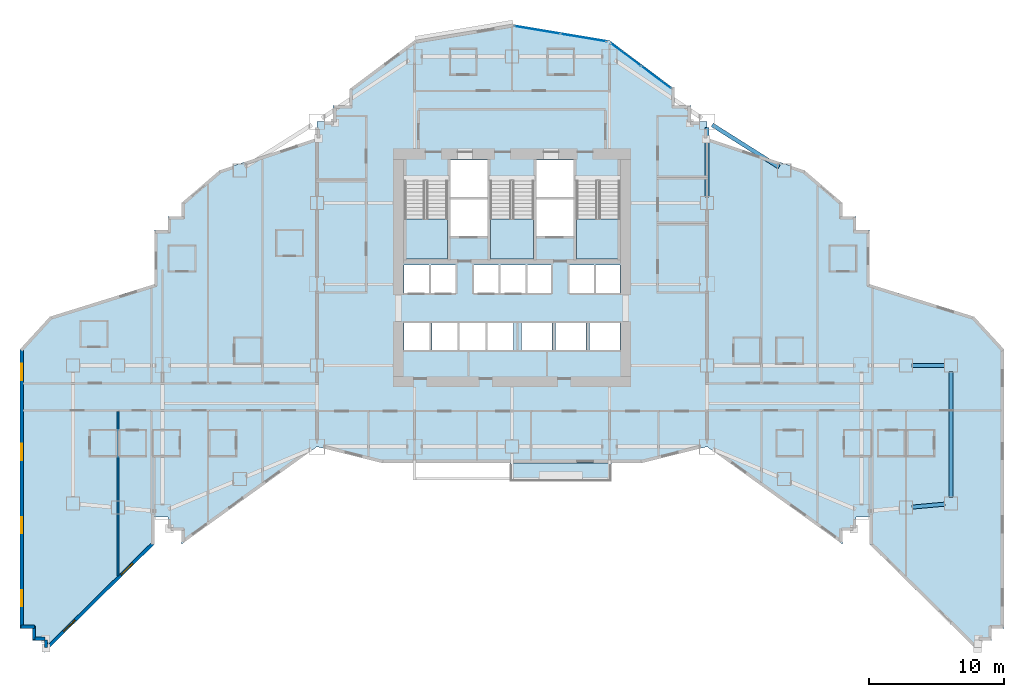
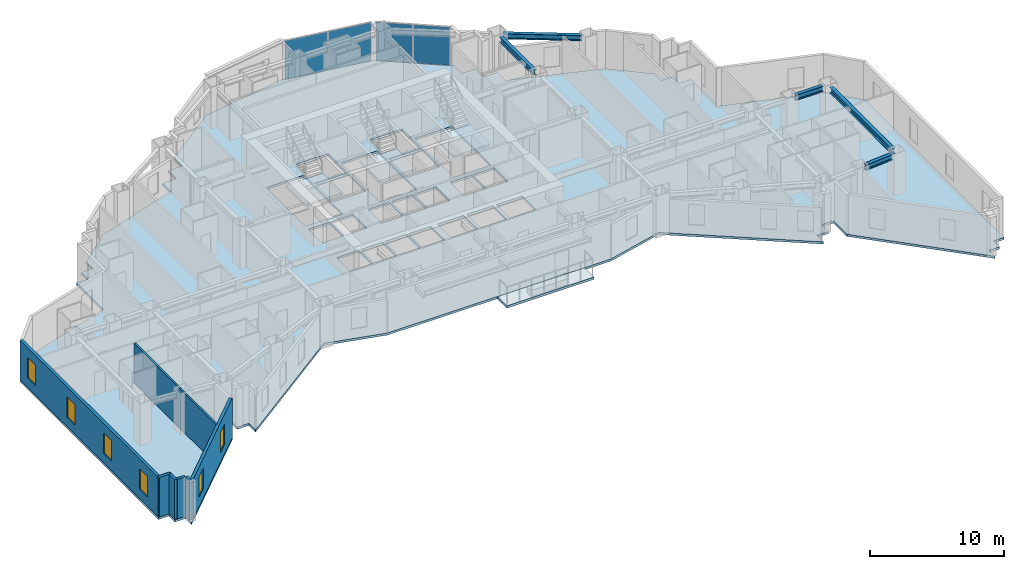
# One storey, part 4 of 16: 7 walls, 6 windows, 5 beams, 5 slabs, 4 plates, 6 openings, 5 elements without a shape of their own.
"""IFC4 building model written with IfcOpenShell, lengths in metres."""

from ifc_helpers import new_model, si_unit, direction, frame, frame_2d, origin, origin_2d, place, context, subcontext, project, spatial, polyline, rectangle, i_section, outline, extrude, material, layer, layer_set, material_profile, profile_set, type_object, element, fill, aggregate, save


model = new_model("IFC4")

# Units and contexts
model_context = context("Model", 3, precision=1e-05, world=origin(), true_north=direction((0.0, 1.0)))
body_context = subcontext(model_context, "Body", "Model", "MODEL_VIEW")
ifc_project = project(units=[si_unit("LENGTHUNIT", "METRE"), si_unit("AREAUNIT", "SQUARE_METRE"), si_unit("VOLUMEUNIT", "CUBIC_METRE"), si_unit("PLANEANGLEUNIT", "RADIAN"), si_unit("MASSUNIT", "GRAM", prefix="KILO")], contexts=[model_context])

# Site, building, storey
site_placement = place(None, origin())
site = spatial("IfcSite", under=ifc_project, at=site_placement, CompositionType="ELEMENT")
building_placement = place(site_placement, origin())
building = spatial("IfcBuilding", under=site, at=building_placement, Name="Haolan Belvedere Tower", CompositionType="ELEMENT")
storey_placement = place(building_placement, frame((0.0, 0.0, 47.60009765625)))
storey = spatial("IfcBuildingStorey", under=building, at=storey_placement, Name="L11", CompositionType="ELEMENT", Elevation=47.60009765625)

# Beams
ifc_material_1 = material(Name="Steel Q355B", Category="steel")
ifc_material_profile = material_profile(ifc_material_1, i_section(OverallWidth=0.300048828125, OverallDepth=0.488037109375, WebThickness=0.010986328125, FlangeThickness=0.01806640625, FilletRadius=0.02587890625, at=origin_2d()), Name="Steel Q355B")
ifc_profile_set = profile_set([ifc_material_profile], Name="Steel Q355B")
beam_type = type_object("IfcBeamType", Name="BM-HM488x300x11x18", PredefinedType="SPANDREL", material=ifc_profile_set)
beam_1_placement = place(storey_placement, frame((52.800048828125, 40.050048828125, 3.35595703125), z_axis=(0.0, 1.0, 0.0), x_axis=(-1.0, 0.0, 0.0)))
element("IfcBeam", 1, at=beam_1_placement, inside=storey, type_object=beam_type, Name="L11 spandrel girder TC-T3-E2-MC-T3-NE", PredefinedType="SPANDREL", context=body_context, shape_type="SweptSolid", body=[
    extrude(i_section(OverallWidth=0.300048828125, OverallDepth=0.488037109375, WebThickness=0.010986328125, FlangeThickness=0.01806640625, FilletRadius=0.02587890625, at=origin_2d()), origin(), (0.0, 0.0, 1.0), 5.099853515625),
])
beam_2_placement = place(storey_placement, frame((53.180419921875, 45.359619140625, 3.35595703125), z_axis=(0.845497840649, -0.533978839898, 0.0), x_axis=(0.533978839898, 0.845497840649, 0.0)))
element("IfcBeam", 2, at=beam_2_placement, inside=storey, type_object=beam_type, Name="L11 spandrel girder MC-T3-NE-TC-T4-N1", PredefinedType="SPANDREL", context=body_context, shape_type="SweptSolid", body=[
    extrude(i_section(OverallWidth=0.300048828125, OverallDepth=0.488037109375, WebThickness=0.010986328125, FlangeThickness=0.01806640625, FilletRadius=0.02587890625, at=origin_2d()), origin(), (0.0, 0.0, 1.0), 5.841796875),
])
beam_3_placement = place(storey_placement, frame((70.800048828125, 17.85009765625, 3.35595703125), z_axis=(0.0, 1.0, 0.0), x_axis=(-1.0, 0.0, 0.0)))
element("IfcBeam", 3, at=beam_3_placement, inside=storey, type_object=beam_type, Name="L11 spandrel girder MC-T5-SE-MC-T5-NE", PredefinedType="SPANDREL", context=body_context, shape_type="SweptSolid", body=[
    extrude(i_section(OverallWidth=0.300048828125, OverallDepth=0.488037109375, WebThickness=0.010986328125, FlangeThickness=0.01806640625, FilletRadius=0.02587890625, at=origin_2d()), origin(), (0.0, 0.0, 1.0), 9.2998046875),
])
beam_4_placement = place(storey_placement, frame((67.9482421875, 17.140625, 3.35595703125), z_axis=(0.995884080761, 0.090636072764, 0.0), x_axis=(-0.090636072764, 0.995884080761, 0.0)))
element("IfcBeam", 4, at=beam_4_placement, inside=storey, type_object=beam_type, Name="L11 spandrel girder TC-T5-M1-MC-T5-SE", PredefinedType="SPANDREL", context=body_context, shape_type="SweptSolid", body=[
    extrude(i_section(OverallWidth=0.300048828125, OverallDepth=0.488037109375, WebThickness=0.010986328125, FlangeThickness=0.01806640625, FilletRadius=0.02587890625, at=origin_2d()), origin(), (0.0, 0.0, 1.0), 2.41357421875),
])
beam_5_placement = place(storey_placement, frame((67.949951171875, 27.60009765625, 3.35595703125), z_axis=(1.0, 0.0, 0.0), x_axis=(0.0, 1.0, 0.0)))
element("IfcBeam", 5, at=beam_5_placement, inside=storey, type_object=beam_type, Name="L11 spandrel girder TC-T5-M2-MC-T5-NE", PredefinedType="SPANDREL", context=body_context, shape_type="SweptSolid", body=[
    extrude(i_section(OverallWidth=0.300048828125, OverallDepth=0.488037109375, WebThickness=0.010986328125, FlangeThickness=0.01806640625, FilletRadius=0.02587890625, at=origin_2d()), origin(), (0.0, 0.0, 1.0), 2.400146484375),
])

# Curtain wall, plates
ifc_material_2 = material(Name="Anodised champagne-silver aluminium 6063-T6 and Low-E glass", Category="aluminium")
ifc_layer_1 = layer(ifc_material_2, 0.1650390625, Name="Anodised champagne-silver aluminium 6063-T6 and Low-E glass")
ifc_layer_set_1 = layer_set([ifc_layer_1], Name="Anodised champagne-silver aluminium 6063-T6 and Low-E glass")
curtain_wall_type = type_object("IfcCurtainWallType", Name="CW-SYS-02", PredefinedType="NOTDEFINED", material=ifc_layer_set_1)
curtain_wall_1_placement = place(storey_placement, origin())
curtain_wall_1 = element("IfcCurtainWall", 6, at=curtain_wall_1_placement, inside=storey, type_object=curtain_wall_type, Name="L11 CW-SYS-02 ribbon curtain wall 41.1", PredefinedType="NOTDEFINED")
ifc_material_3 = material(Name="Double silver Low-E laminated insulating glass", Category="glass")
ifc_layer_2 = layer(ifc_material_3, 0.02587890625, Name="Double silver Low-E laminated insulating glass")
ifc_layer_set_2 = layer_set([ifc_layer_2], Name="Double silver Low-E laminated insulating glass")
plate_type = type_object("IfcPlateType", Name="CW-SYS-02-PNL", PredefinedType="CURTAIN_PANEL", material=ifc_layer_set_2)
plate_1_placement = place(storey_placement, frame((49.02978515625, 48.877685546875, 0.0546875), z_axis=(0.0, 0.0, 1.0), x_axis=(-0.800004262313, 0.599994316874, 0.0)))
plate_1 = element("IfcPlate", 7, at=plate_1_placement, type_object=plate_type, Name="CW-02 panel 1.1", PredefinedType="CURTAIN_PANEL", context=body_context, shape_type="SweptSolid", body=[
    extrude(rectangle(XDim=2.725341796875, YDim=0.02587890625, at=origin_2d()), origin(), (0.0, 0.0, 1.0), 3.489990234375),
])
plate_2_placement = place(storey_placement, frame((46.801513671875, 50.548828125, 0.0546875), z_axis=(0.0, 0.0, 1.0), x_axis=(-0.800004262313, 0.599994316874, 0.0)))
plate_2 = element("IfcPlate", 8, at=plate_2_placement, type_object=plate_type, Name="CW-02 panel 2.1", PredefinedType="CURTAIN_PANEL", context=body_context, shape_type="SweptSolid", body=[
    extrude(rectangle(XDim=2.725341796875, YDim=0.02587890625, at=origin_2d()), origin(), (0.0, 0.0, 1.0), 3.489990234375),
])
aggregate(curtain_wall_1, [plate_1, plate_2])

curtain_wall_2_placement = place(storey_placement, origin())
curtain_wall_2 = element("IfcCurtainWall", 9, at=curtain_wall_2_placement, inside=storey, type_object=curtain_wall_type, Name="L11 CW-SYS-02 ribbon curtain wall 42.1", PredefinedType="NOTDEFINED")
plate_3_placement = place(storey_placement, frame((43.6796875, 51.79833984375, 0.0546875), z_axis=(0.0, 0.0, 1.0), x_axis=(-0.9863931483, 0.16440364043, 0.0)))
plate_3 = element("IfcPlate", 10, at=plate_3_placement, type_object=plate_type, Name="CW-02 panel 1.1", PredefinedType="CURTAIN_PANEL", context=body_context, shape_type="SweptSolid", body=[
    extrude(rectangle(XDim=3.39501953125, YDim=0.02587890625, at=origin_2d()), origin(), (0.0, 0.0, 1.0), 3.489990234375),
])
plate_4_placement = place(storey_placement, frame((40.271728515625, 52.366455078125, 0.0546875), z_axis=(0.0, 0.0, 1.0), x_axis=(-0.9863931483, 0.16440364043, 0.0)))
plate_4 = element("IfcPlate", 11, at=plate_4_placement, type_object=plate_type, Name="CW-02 panel 2.1", PredefinedType="CURTAIN_PANEL", context=body_context, shape_type="SweptSolid", body=[
    extrude(rectangle(XDim=3.39501953125, YDim=0.02587890625, at=origin_2d()), origin(), (0.0, 0.0, 1.0), 3.489990234375),
])
aggregate(curtain_wall_2, [plate_3, plate_4])

# Slabs
ifc_material_4 = material(Name="Concrete C40/50", Category="concrete")
ifc_layer_3 = layer(ifc_material_4, 0.2099609375, Name="Concrete C40/50")
ifc_layer_set_3 = layer_set([ifc_layer_3], Name="Concrete C40/50")
slab_type_1 = type_object("IfcSlabType", Name="SL-BAL-210", PredefinedType="FLOOR", material=ifc_layer_set_3)
slab_1_placement = place(storey_placement, frame((0.0, 0.0, -0.22998046875)))
element("IfcSlab", 12, at=slab_1_placement, inside=storey, type_object=slab_type_1, Name="L11 structural tree-planter balcony slab BAL-L11-S1", PredefinedType="FLOOR", context=body_context, shape_type="SweptSolid", body=[
    extrude(outline(polyline([(38.25, 19.02001953125), (45.75, 19.02001953125), (45.75, 20.39990234375), (38.25, 20.39990234375), (38.25, 19.02001953125)])), origin(), (0.0, 0.0, 1.0), 0.2099609375),
])
ifc_layer_4 = layer(ifc_material_4, 0.199951171875, Name="Concrete C40/50")
ifc_layer_set_4 = layer_set([ifc_layer_4], Name="Concrete C40/50")
slab_type_2 = type_object("IfcSlabType", Name="SL-FLR-200", PredefinedType="FLOOR", material=ifc_layer_set_4)
slab_2_placement = place(storey_placement, frame((0.0, 0.0, -0.2001953125)))
element("IfcSlab", 13, at=slab_2_placement, inside=storey, type_object=slab_type_2, Name="L11 structural floor slab", PredefinedType="FLOOR", context=body_context, shape_type="SweptSolid", body=[
    extrude(outline(polyline([(2.080078125, 28.800048828125), (2.080078125, 8.7958984375), (2.080078125, 8.196044921875), (2.97998046875, 8.196044921875), (2.97998046875, 7.2958984375), (3.8798828125, 7.2958984375), (3.8798828125, 6.39599609375), (12.0, 14.39990234375), (12.0, 16.39990234375), (13.0, 16.39990234375), (13.0, 15.39990234375), (14.0, 15.39990234375), (14.0, 14.39990234375), (24.0, 21.60009765625), (28.800048828125, 20.39990234375), (48.0, 20.39990234375), (52.800048828125, 21.60009765625), (62.800048828125, 14.39990234375), (62.800048828125, 15.39990234375), (63.800048828125, 15.39990234375), (63.800048828125, 16.39990234375), (64.800048828125, 16.39990234375), (64.800048828125, 14.39990234375), (72.919921875, 6.39599609375), (72.919921875, 7.2958984375), (73.820068359375, 7.2958984375), (73.820068359375, 8.196044921875), (74.719970703125, 8.196044921875), (74.719970703125, 28.800048828125), (72.52001953125, 31.199951171875), (64.800048828125, 33.60009765625), (64.800048828125, 37.60009765625), (63.800048828125, 37.60009765625), (63.800048828125, 38.60009765625), (62.800048828125, 38.60009765625), (62.800048828125, 39.60009765625), (60.0, 42.0), (52.800048828125, 44.39990234375), (52.800048828125, 45.60009765625), (51.60009765625, 45.60009765625), (51.60009765625, 46.800048828125), (50.39990234375, 46.800048828125), (50.39990234375, 48.0), (45.60009765625, 51.60009765625), (38.39990234375, 52.800048828125), (31.199951171875, 51.60009765625), (26.39990234375, 48.0), (26.39990234375, 46.800048828125), (25.199951171875, 46.800048828125), (25.199951171875, 45.60009765625), (24.0, 45.60009765625), (24.0, 44.39990234375), (16.800048828125, 42.0), (14.0, 39.60009765625), (14.0, 38.60009765625), (13.0, 38.60009765625), (13.0, 37.60009765625), (12.0, 37.60009765625), (12.0, 33.60009765625), (4.280029296875, 31.199951171875), (2.080078125, 28.800048828125)]), holes=[polyline([(30.449951171875, 41.22998046875), (30.449951171875, 35.449951171875), (33.6298828125, 35.449951171875), (33.6298828125, 41.22998046875), (30.449951171875, 41.22998046875)]), polyline([(36.81005859375, 41.22998046875), (36.81005859375, 35.449951171875), (39.989990234375, 35.449951171875), (39.989990234375, 41.22998046875), (36.81005859375, 41.22998046875)]), polyline([(43.169921875, 41.22998046875), (43.169921875, 35.449951171875), (46.35009765625, 35.449951171875), (46.35009765625, 41.22998046875), (43.169921875, 41.22998046875)]), polyline([(33.830078125, 40.050048828125), (36.610107421875, 40.050048828125), (36.610107421875, 42.75), (33.830078125, 42.75), (33.830078125, 40.050048828125)]), polyline([(33.830078125, 37.14990234375), (36.610107421875, 37.14990234375), (36.610107421875, 39.85009765625), (33.830078125, 39.85009765625), (33.830078125, 37.14990234375)]), polyline([(40.18994140625, 40.050048828125), (42.969970703125, 40.050048828125), (42.969970703125, 42.75), (40.18994140625, 42.75), (40.18994140625, 40.050048828125)]), polyline([(40.18994140625, 37.14990234375), (42.969970703125, 37.14990234375), (42.969970703125, 39.85009765625), (40.18994140625, 39.85009765625), (40.18994140625, 37.14990234375)]), polyline([(30.419921875, 32.949951171875), (32.27001953125, 32.949951171875), (32.27001953125, 35.0), (30.419921875, 35.0), (30.419921875, 32.949951171875)]), polyline([(32.409912109375, 32.949951171875), (34.260009765625, 32.949951171875), (34.260009765625, 35.0), (32.409912109375, 35.0), (32.409912109375, 32.949951171875)]), polyline([(35.56005859375, 32.949951171875), (37.409912109375, 32.949951171875), (37.409912109375, 35.0), (35.56005859375, 35.0), (35.56005859375, 32.949951171875)]), polyline([(37.550048828125, 32.949951171875), (39.39990234375, 32.949951171875), (39.39990234375, 35.0), (37.550048828125, 35.0), (37.550048828125, 32.949951171875)]), polyline([(39.5400390625, 32.949951171875), (41.389892578125, 32.949951171875), (41.389892578125, 35.0), (39.5400390625, 35.0), (39.5400390625, 32.949951171875)]), polyline([(42.6201171875, 32.949951171875), (44.469970703125, 32.949951171875), (44.469970703125, 35.0), (42.6201171875, 35.0), (42.6201171875, 32.949951171875)]), polyline([(44.580078125, 32.949951171875), (46.3798828125, 32.949951171875), (46.3798828125, 35.0), (44.580078125, 35.0), (44.580078125, 32.949951171875)]), polyline([(30.419921875, 28.75), (32.320068359375, 28.75), (32.320068359375, 30.75), (30.419921875, 30.75), (30.419921875, 28.75)]), polyline([(32.47998046875, 28.75), (34.3798828125, 28.75), (34.3798828125, 30.75), (32.47998046875, 30.75), (32.47998046875, 28.75)]), polyline([(34.5400390625, 28.75), (36.43994140625, 28.75), (36.43994140625, 30.75), (34.5400390625, 30.75), (34.5400390625, 28.75)]), polyline([(36.60009765625, 28.75), (38.5, 28.75), (38.5, 30.75), (36.60009765625, 30.75), (36.60009765625, 28.75)]), polyline([(39.10009765625, 28.75), (41.340087890625, 28.75), (41.340087890625, 30.75), (39.10009765625, 30.75), (39.10009765625, 28.75)]), polyline([(41.610107421875, 28.75), (43.85009765625, 28.75), (43.85009765625, 30.75), (41.610107421875, 30.75), (41.610107421875, 28.75)]), polyline([(44.1201171875, 28.75), (46.360107421875, 28.75), (46.360107421875, 30.75), (44.1201171875, 30.75), (44.1201171875, 28.75)])]), origin(), (0.0, 0.0, 1.0), 0.2001953125),
])

# Stair, slab
stair_type = type_object("IfcStairType", Name="STR-DL-22R-173", PredefinedType="HALF_TURN_STAIR", material=ifc_material_4)
stair_1_placement = place(storey_placement, origin())
stair_1 = element("IfcStair", 14, at=stair_1_placement, inside=storey, type_object=stair_type, Name="L11 Smokeproof Core Exit Stair ST1", PredefinedType="HALF_TURN_STAIR")
ifc_layer_5 = layer(ifc_material_4, 0.199951171875, Name="Concrete C40/50")
ifc_layer_set_5 = layer_set([ifc_layer_5], Name="Concrete C40/50")
slab_type_3 = type_object("IfcSlabType", Name="SL-LAND-200", PredefinedType="LANDING", material=ifc_layer_set_5)
slab_3_placement = place(storey_placement, frame((0.0, 0.0, 1.699951171875)))
slab_3 = element("IfcSlab", 15, at=slab_3_placement, type_object=slab_type_3, Name="ST1 landing 1", PredefinedType="LANDING", context=body_context, shape_type="SweptSolid", body=[
    extrude(outline(polyline([(30.449951171875, 38.429931640625), (30.449951171875, 35.449951171875), (33.6298828125, 35.449951171875), (33.6298828125, 38.429931640625), (30.449951171875, 38.429931640625)])), origin(), (0.0, 0.0, 1.0), 0.199951171875),
])
aggregate(stair_1, [slab_3])

stair_2_placement = place(storey_placement, origin())
stair_2 = element("IfcStair", 16, at=stair_2_placement, inside=storey, type_object=stair_type, Name="L11 Smokeproof Core Exit Stair ST3", PredefinedType="HALF_TURN_STAIR")
slab_4_placement = place(storey_placement, frame((0.0, 0.0, 1.699951171875)))
slab_4 = element("IfcSlab", 17, at=slab_4_placement, type_object=slab_type_3, Name="ST3 landing 1", PredefinedType="LANDING", context=body_context, shape_type="SweptSolid", body=[
    extrude(outline(polyline([(36.81005859375, 38.429931640625), (36.81005859375, 35.449951171875), (39.989990234375, 35.449951171875), (39.989990234375, 38.429931640625), (36.81005859375, 38.429931640625)])), origin(), (0.0, 0.0, 1.0), 0.199951171875),
])
aggregate(stair_2, [slab_4])

stair_3_placement = place(storey_placement, origin())
stair_3 = element("IfcStair", 18, at=stair_3_placement, inside=storey, type_object=stair_type, Name="L11 Smokeproof Core Exit Stair ST2", PredefinedType="HALF_TURN_STAIR")
slab_5_placement = place(storey_placement, frame((0.0, 0.0, 1.699951171875)))
slab_5 = element("IfcSlab", 19, at=slab_5_placement, type_object=slab_type_3, Name="ST2 landing 1", PredefinedType="LANDING", context=body_context, shape_type="SweptSolid", body=[
    extrude(outline(polyline([(43.169921875, 38.429931640625), (43.169921875, 35.449951171875), (46.35009765625, 35.449951171875), (46.35009765625, 38.429931640625), (43.169921875, 38.429931640625)])), origin(), (0.0, 0.0, 1.0), 0.199951171875),
])
aggregate(stair_3, [slab_5])

# Walls
ifc_material_5 = material(Name="Precast concrete C40/50", Category="concrete")
ifc_layer_6 = layer(ifc_material_5, 0.239990234375, Name="Precast concrete C40/50")
ifc_layer_set_6 = layer_set([ifc_layer_6], Name="Precast concrete C40/50")
wall_type_1 = type_object("IfcWallType", Name="WL-EXT-240", PredefinedType="SOLIDWALL", material=ifc_layer_set_6)
for number, where, z_axis, x_axis, name in (
    (20, (2.14501953125, 8.31591796875, 0.0), (0.0, 0.0, 1.0), (1.0, 0.0, 0.0), "L11 pale-metal exterior spandrel wall 1.1"),
    (21, (3.10009765625, 8.37109375, 0.0), (0.0, 0.0, 1.0), (0.0, -1.0, 0.0), "L11 pale-metal exterior spandrel wall 2.1"),
):
    element("IfcWall", number, at=place(storey_placement, frame(where, z_axis=z_axis, x_axis=x_axis)), inside=storey, type_object=wall_type_1, Name=name, PredefinedType="SOLIDWALL", context=body_context, shape_type="SweptSolid", body=[
        extrude(rectangle(XDim=1.010009765625, YDim=0.239990234375, at=frame_2d((0.5048828125, 0.0))), origin(), (0.0, 0.0, 1.0), 3.599853515625),
    ])
wall_1_placement = place(storey_placement, frame((3.179931640625, 7.416015625, 0.0), z_axis=(0.0, 0.0, 1.0), x_axis=(1.0, 0.0, 0.0)))
element("IfcWall", 22, at=wall_1_placement, inside=storey, type_object=wall_type_1, Name="L11 pale-metal exterior spandrel wall 3.1", PredefinedType="SOLIDWALL", context=body_context, shape_type="SweptSolid", body=[
    extrude(rectangle(XDim=0.735107421875, YDim=0.239990234375, at=frame_2d((0.36767578125, 0.0))), origin(), (0.0, 0.0, 1.0), 3.599853515625),
])
wall_2_placement = place(storey_placement, frame((4.0, 7.3310546875, 0.0), z_axis=(0.0, 0.0, 1.0), x_axis=(0.0, -1.0, 0.0)))
element("IfcWall", 23, at=wall_2_placement, inside=storey, type_object=wall_type_1, Name="L11 pale-metal exterior spandrel wall 4.1", PredefinedType="SOLIDWALL", context=body_context, shape_type="SweptSolid", body=[
    extrude(rectangle(XDim=0.563232421875, YDim=0.239990234375, at=frame_2d((0.28173828125, 0.0))), origin(), (0.0, 0.0, 1.0), 3.599853515625),
])

# Wall, openings, windows
wall_3_placement = place(storey_placement, frame((4.156494140625, 6.83740234375, 0.0), z_axis=(0.0, 0.0, 1.0), x_axis=(0.712195287167, 0.701981390735, 0.0)))
wall_3 = element("IfcWall", 24, at=wall_3_placement, inside=storey, type_object=wall_type_1, Name="L11 pale-metal exterior spandrel wall 5.1", PredefinedType="SOLIDWALL", context=body_context, shape_type="SweptSolid", body=[
    extrude(rectangle(XDim=10.899658203125, YDim=0.239990234375, at=frame_2d((5.44970703125, 0.0))), origin(), (0.0, 0.0, 1.0), 3.599853515625),
])
opening_1_placement = place(wall_3_placement, frame((1.60009765625, 0.0, 0.85009765625)))
opening_1 = element("IfcOpeningElement", 25, at=opening_1_placement, cuts=wall_3, Name="Opening W-01", PredefinedType="OPENING", context=body_context, shape_type="SweptSolid", body=[
    extrude(rectangle(XDim=1.199951171875, YDim=1.85009765625, at=frame_2d((0.60009765625, 0.925048828125))), frame((0.0, 0.1298828125, 0.0), z_axis=(0.0, -1.0, 0.0), x_axis=(1.0, 0.0, 0.0)), (0.0, 0.0, 1.0), 0.260009765625),
])
opening_2_placement = place(wall_3_placement, frame((7.560546875, 0.0, 0.85009765625)))
opening_2 = element("IfcOpeningElement", 26, at=opening_2_placement, cuts=wall_3, Name="Opening W-01", PredefinedType="OPENING", context=body_context, shape_type="SweptSolid", body=[
    extrude(rectangle(XDim=1.199951171875, YDim=1.85009765625, at=frame_2d((0.60009765625, 0.925048828125))), frame((0.0, 0.1298828125, 0.0), z_axis=(0.0, -1.0, 0.0), x_axis=(1.0, 0.0, 0.0)), (0.0, 0.0, 1.0), 0.260009765625),
])
ifc_material_6 = material(Name="Anodised aluminium 6063-T6 and Low-E glass", Category="aluminium")
window_type = type_object("IfcWindowType", Name="WN-DECO-Z1", PartitioningType="SINGLE_PANEL", PredefinedType="WINDOW", material=ifc_material_6)
window_1_placement = place(opening_1_placement, origin())
window_1 = element("IfcWindow", 27, at=window_1_placement, inside=storey, type_object=window_type, Name="L11 Art Deco chevron window 1", OverallHeight=1.85009765625, OverallWidth=1.199951171875, PartitioningType="SINGLE_PANEL", PredefinedType="WINDOW", context=body_context, shape_type="SweptSolid", body=[
    extrude(rectangle(XDim=1.199951171875, YDim=1.85009765625, at=frame_2d((0.60009765625, 0.925048828125))), frame((0.0, 0.030029296875, 0.0), z_axis=(0.0, -1.0, 0.0), x_axis=(1.0, 0.0, 0.0)), (0.0, 0.0, 1.0), 0.06005859375),
])
fill(opening_1, window_1)
window_2_placement = place(opening_2_placement, origin())
window_2 = element("IfcWindow", 28, at=window_2_placement, inside=storey, type_object=window_type, Name="L11 Art Deco chevron window 2", OverallHeight=1.85009765625, OverallWidth=1.199951171875, PartitioningType="SINGLE_PANEL", PredefinedType="WINDOW", context=body_context, shape_type="SweptSolid", body=[
    extrude(rectangle(XDim=1.199951171875, YDim=1.85009765625, at=frame_2d((0.60009765625, 0.925048828125))), frame((0.0, 0.030029296875, 0.0), z_axis=(0.0, -1.0, 0.0), x_axis=(1.0, 0.0, 0.0)), (0.0, 0.0, 1.0), 0.06005859375),
])
fill(opening_2, window_2)

wall_4_placement = place(storey_placement, frame((2.199951171875, 28.808349609375, 0.0), z_axis=(0.0, 0.0, 1.0), x_axis=(0.0, -1.0, 0.0)))
wall_4 = element("IfcWall", 29, at=wall_4_placement, inside=storey, type_object=wall_type_1, Name="L11 pale-metal exterior spandrel wall 59.1", PredefinedType="SOLIDWALL", context=body_context, shape_type="SweptSolid", body=[
    extrude(rectangle(XDim=20.54736328125, YDim=0.239990234375, at=frame_2d((10.273681640625, 0.0))), origin(), (0.0, 0.0, 1.0), 3.599853515625),
])
opening_3_placement = place(wall_4_placement, frame((1.09326171875, 0.0, 0.85009765625)))
opening_3 = element("IfcOpeningElement", 30, at=opening_3_placement, cuts=wall_4, Name="Opening W-01", PredefinedType="OPENING", context=body_context, shape_type="SweptSolid", body=[
    extrude(rectangle(XDim=1.199951171875, YDim=1.85009765625, at=frame_2d((0.60009765625, 0.925048828125))), frame((0.0, 0.1298828125, 0.0), z_axis=(0.0, -1.0, 0.0), x_axis=(1.0, 0.0, 0.0)), (0.0, 0.0, 1.0), 0.260009765625),
])
opening_4_placement = place(wall_4_placement, frame((7.0, 0.0, 0.85009765625)))
opening_4 = element("IfcOpeningElement", 31, at=opening_4_placement, cuts=wall_4, Name="Opening W-01", PredefinedType="OPENING", context=body_context, shape_type="SweptSolid", body=[
    extrude(rectangle(XDim=1.199951171875, YDim=1.85009765625, at=frame_2d((0.60009765625, 0.925048828125))), frame((0.0, 0.1298828125, 0.0), z_axis=(0.0, -1.0, 0.0), x_axis=(1.0, 0.0, 0.0)), (0.0, 0.0, 1.0), 0.260009765625),
])
opening_5_placement = place(wall_4_placement, frame((12.39990234375, 0.0, 0.85009765625)))
opening_5 = element("IfcOpeningElement", 32, at=opening_5_placement, cuts=wall_4, Name="Opening W-01", PredefinedType="OPENING", context=body_context, shape_type="SweptSolid", body=[
    extrude(rectangle(XDim=1.199951171875, YDim=1.85009765625, at=frame_2d((0.60009765625, 0.925048828125))), frame((0.0, 0.1298828125, 0.0), z_axis=(0.0, -1.0, 0.0), x_axis=(1.0, 0.0, 0.0)), (0.0, 0.0, 1.0), 0.260009765625),
])
opening_6_placement = place(wall_4_placement, frame((17.800048828125, 0.0, 0.85009765625)))
opening_6 = element("IfcOpeningElement", 33, at=opening_6_placement, cuts=wall_4, Name="Opening W-01", PredefinedType="OPENING", context=body_context, shape_type="SweptSolid", body=[
    extrude(rectangle(XDim=1.199951171875, YDim=1.85009765625, at=frame_2d((0.60009765625, 0.925048828125))), frame((0.0, 0.1298828125, 0.0), z_axis=(0.0, -1.0, 0.0), x_axis=(1.0, 0.0, 0.0)), (0.0, 0.0, 1.0), 0.260009765625),
])
window_3_placement = place(opening_3_placement, origin())
window_3 = element("IfcWindow", 34, at=window_3_placement, inside=storey, type_object=window_type, Name="L11 Art Deco chevron window 1", OverallHeight=1.85009765625, OverallWidth=1.199951171875, PartitioningType="SINGLE_PANEL", PredefinedType="WINDOW", context=body_context, shape_type="SweptSolid", body=[
    extrude(rectangle(XDim=1.199951171875, YDim=1.85009765625, at=frame_2d((0.60009765625, 0.925048828125))), frame((0.0, 0.030029296875, 0.0), z_axis=(0.0, -1.0, 0.0), x_axis=(1.0, 0.0, 0.0)), (0.0, 0.0, 1.0), 0.06005859375),
])
fill(opening_3, window_3)
window_4_placement = place(opening_4_placement, origin())
window_4 = element("IfcWindow", 35, at=window_4_placement, inside=storey, type_object=window_type, Name="L11 Art Deco chevron window 2", OverallHeight=1.85009765625, OverallWidth=1.199951171875, PartitioningType="SINGLE_PANEL", PredefinedType="WINDOW", context=body_context, shape_type="SweptSolid", body=[
    extrude(rectangle(XDim=1.199951171875, YDim=1.85009765625, at=frame_2d((0.60009765625, 0.925048828125))), frame((0.0, 0.030029296875, 0.0), z_axis=(0.0, -1.0, 0.0), x_axis=(1.0, 0.0, 0.0)), (0.0, 0.0, 1.0), 0.06005859375),
])
fill(opening_4, window_4)
window_5_placement = place(opening_5_placement, origin())
window_5 = element("IfcWindow", 36, at=window_5_placement, inside=storey, type_object=window_type, Name="L11 Art Deco chevron window 3", OverallHeight=1.85009765625, OverallWidth=1.199951171875, PartitioningType="SINGLE_PANEL", PredefinedType="WINDOW", context=body_context, shape_type="SweptSolid", body=[
    extrude(rectangle(XDim=1.199951171875, YDim=1.85009765625, at=frame_2d((0.60009765625, 0.925048828125))), frame((0.0, 0.030029296875, 0.0), z_axis=(0.0, -1.0, 0.0), x_axis=(1.0, 0.0, 0.0)), (0.0, 0.0, 1.0), 0.06005859375),
])
fill(opening_5, window_5)
window_6_placement = place(opening_6_placement, origin())
window_6 = element("IfcWindow", 37, at=window_6_placement, inside=storey, type_object=window_type, Name="L11 Art Deco chevron window 4", OverallHeight=1.85009765625, OverallWidth=1.199951171875, PartitioningType="SINGLE_PANEL", PredefinedType="WINDOW", context=body_context, shape_type="SweptSolid", body=[
    extrude(rectangle(XDim=1.199951171875, YDim=1.85009765625, at=frame_2d((0.60009765625, 0.925048828125))), frame((0.0, 0.030029296875, 0.0), z_axis=(0.0, -1.0, 0.0), x_axis=(1.0, 0.0, 0.0)), (0.0, 0.0, 1.0), 0.06005859375),
])
fill(opening_6, window_6)

# Wall
ifc_material_7 = material(Name="Double gypsum acoustic stud partition", Category="masonry")
ifc_layer_7 = layer(ifc_material_7, 0.14990234375, Name="Double gypsum acoustic stud partition")
ifc_layer_set_7 = layer_set([ifc_layer_7], Name="Double gypsum acoustic stud partition")
wall_type_2 = type_object("IfcWallType", Name="WL-PART-150", PredefinedType="PARTITIONING", material=ifc_layer_set_7)
wall_5_placement = place(storey_placement, frame((9.300048828125, 12.054443359375, 0.0), z_axis=(0.0, 0.0, 1.0), x_axis=(0.0, 1.0, 0.0)))
element("IfcWall", 38, at=wall_5_placement, inside=storey, type_object=wall_type_2, Name="L11 interior partition IW-L11-T1S1-E", PredefinedType="PARTITIONING", context=body_context, shape_type="SweptSolid", body=[
    extrude(rectangle(XDim=12.155517578125, YDim=0.14990234375, at=frame_2d((6.07763671875, 0.0))), origin(), (0.0, 0.0, 1.0), 3.599853515625),
])

save(model, "model.ifc")
